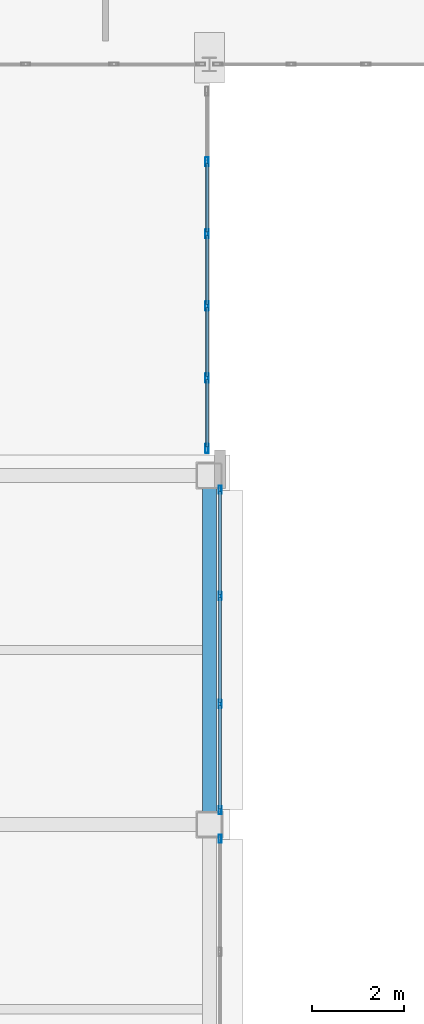
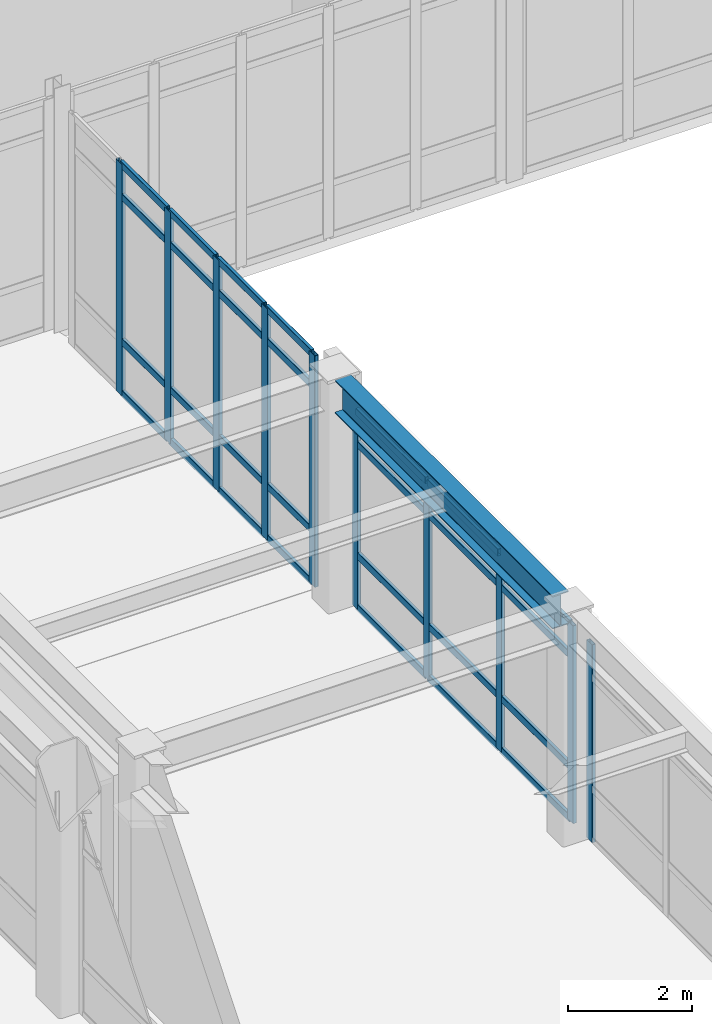
# One storey, part 74 of 154: 38 members, 1 beam, 3 elements without a shape of their own.
"""IFC4 building model written with IfcOpenShell, lengths in metres."""

from ifc_helpers import new_model, si_unit, direction, frame, origin, origin_2d, place, context, subcontext, project, spatial, hollow_rectangle, i_section, extrude, material, layer, layer_set, material_profile, profile_set, type_object, element, aggregate, save


model = new_model("IFC4")

# Units and contexts
model_context = context("Model", 3, precision=1e-05, world=origin(), true_north=direction((0.0, 1.0)))
body_context = subcontext(model_context, "Body", "Model", "MODEL_VIEW")
ifc_project = project(units=[si_unit("LENGTHUNIT", "METRE"), si_unit("AREAUNIT", "SQUARE_METRE"), si_unit("VOLUMEUNIT", "CUBIC_METRE"), si_unit("PLANEANGLEUNIT", "RADIAN"), si_unit("MASSUNIT", "GRAM", prefix="KILO")], contexts=[model_context])

# Site, building, storey
site_placement = place(None, origin())
site = spatial("IfcSite", under=ifc_project, at=site_placement, CompositionType="ELEMENT")
building_placement = place(site_placement, origin())
building = spatial("IfcBuilding", under=site, at=building_placement, Name="Kazehara Bluff Congress Hotel", CompositionType="ELEMENT")
storey_placement = place(building_placement, frame((0.0, 0.0, 10.199951171875)))
storey = spatial("IfcBuildingStorey", under=building, at=storey_placement, Name="L02", CompositionType="ELEMENT", Elevation=10.199951171875)

# Curtain wall, member
ifc_material_1 = material(Name="Anodised aluminium", Category="aluminium")
ifc_layer_1 = layer(ifc_material_1, 0.159912109375)
ifc_layer_set_1 = layer_set([ifc_layer_1], Name="Anodised aluminium")
curtain_wall_type_1 = type_object("IfcCurtainWallType", Name="TP-CW-140", PredefinedType="NOTDEFINED", material=ifc_layer_set_1)
curtain_wall_1_placement = place(storey_placement, origin())
curtain_wall_1 = element("IfcCurtainWall", 1, at=curtain_wall_1_placement, inside=storey, type_object=curtain_wall_type_1, Name="L02 curtain wall CW-140 CW-ENC-V4-L02-6788-6045", PredefinedType="NOTDEFINED")
ifc_material_2 = material(Name="Anodised aluminium", Category="aluminium")
ifc_material_profile_1 = material_profile(ifc_material_2, hollow_rectangle(XDim=0.06494140625, YDim=0.179931640625, WallThickness=0.00390625, InnerFilletRadius=0.00390625, OuterFilletRadius=0.008056640625, at=origin_2d()))
ifc_profile_set_1 = profile_set([ifc_material_profile_1], Name="Anodised aluminium")
member_type_1 = type_object("IfcMemberType", Name="TP-CWM-02", PredefinedType="MULLION", material=ifc_profile_set_1)
member_1_placement = place(storey_placement, frame((67.8798828125, 64.142578125, 0.0), z_axis=(0.0, 0.0, 1.0), x_axis=(1.0, 0.0, 0.0)))
member_1 = element("IfcMember", 2, at=member_1_placement, type_object=member_type_1, Name="CW-140 mullion 1", PredefinedType="MULLION", context=body_context, shape_type="SweptSolid", body=[
    extrude(hollow_rectangle(XDim=0.06494140625, YDim=0.179931640625, WallThickness=0.00390625, InnerFilletRadius=0.00390625, OuterFilletRadius=0.008056640625, at=origin_2d()), origin(), (0.0, 0.0, 1.0), 3.885009765625),
])
aggregate(curtain_wall_1, [member_1])

# Curtain wall, members
ifc_material_3 = material(Name="Anodised aluminium", Category="aluminium")
ifc_layer_2 = layer(ifc_material_3, 0.159912109375)
ifc_layer_set_2 = layer_set([ifc_layer_2], Name="Anodised aluminium")
curtain_wall_type_2 = type_object("IfcCurtainWallType", Name="TP-CW-139", PredefinedType="NOTDEFINED", material=ifc_layer_set_2)
curtain_wall_2_placement = place(storey_placement, origin())
curtain_wall_2 = element("IfcCurtainWall", 3, at=curtain_wall_2_placement, inside=storey, type_object=curtain_wall_type_2, Name="L02 curtain wall CW-139 CW-ENC-V4-L02-6788-6822", PredefinedType="NOTDEFINED")
member_2_placement = place(storey_placement, frame((67.8798828125, 71.6923828125, 0.0), z_axis=(0.0, 0.0, 1.0), x_axis=(1.0, 0.0, 0.0)))
member_2 = element("IfcMember", 4, at=member_2_placement, type_object=member_type_1, Name="CW-139 mullion 1", PredefinedType="MULLION", context=body_context, shape_type="SweptSolid", body=[
    extrude(hollow_rectangle(XDim=0.06494140625, YDim=0.179931640625, WallThickness=0.00390625, InnerFilletRadius=0.00390625, OuterFilletRadius=0.008056640625, at=origin_2d()), origin(), (0.0, 0.0, 1.0), 3.885009765625),
])
member_3_placement = place(storey_placement, frame((67.8798828125, 69.3916015625, 0.0), z_axis=(0.0, 0.0, 1.0), x_axis=(1.0, 0.0, 0.0)))
member_3 = element("IfcMember", 5, at=member_3_placement, type_object=member_type_1, Name="CW-139 mullion 2", PredefinedType="MULLION", context=body_context, shape_type="SweptSolid", body=[
    extrude(hollow_rectangle(XDim=0.06494140625, YDim=0.179931640625, WallThickness=0.00390625, InnerFilletRadius=0.00390625, OuterFilletRadius=0.008056640625, at=origin_2d()), origin(), (0.0, 0.0, 1.0), 3.885009765625),
])
member_4_placement = place(storey_placement, frame((67.8798828125, 67.058349609375, 0.0), z_axis=(0.0, 0.0, 1.0), x_axis=(1.0, 0.0, 0.0)))
member_4 = element("IfcMember", 6, at=member_4_placement, type_object=member_type_1, Name="CW-139 mullion 3", PredefinedType="MULLION", context=body_context, shape_type="SweptSolid", body=[
    extrude(hollow_rectangle(XDim=0.06494140625, YDim=0.179931640625, WallThickness=0.00390625, InnerFilletRadius=0.00390625, OuterFilletRadius=0.008056640625, at=origin_2d()), origin(), (0.0, 0.0, 1.0), 3.885009765625),
])
member_5_placement = place(storey_placement, frame((67.8798828125, 64.757568359375, 0.0), z_axis=(0.0, 0.0, 1.0), x_axis=(1.0, 0.0, 0.0)))
member_5 = element("IfcMember", 7, at=member_5_placement, type_object=member_type_1, Name="CW-139 mullion 4", PredefinedType="MULLION", context=body_context, shape_type="SweptSolid", body=[
    extrude(hollow_rectangle(XDim=0.06494140625, YDim=0.179931640625, WallThickness=0.00390625, InnerFilletRadius=0.00390625, OuterFilletRadius=0.008056640625, at=origin_2d()), origin(), (0.0, 0.0, 1.0), 3.885009765625),
])

ifc_material_4 = material(Name="Anodised aluminium", Category="aluminium")
ifc_layer_3 = layer(ifc_material_4, 0.159912109375)
ifc_layer_set_3 = layer_set([ifc_layer_3], Name="Anodised aluminium")
curtain_wall_type_3 = type_object("IfcCurtainWallType", Name="TP-CW-03", PredefinedType="NOTDEFINED", material=ifc_layer_set_3)
curtain_wall_3_placement = place(storey_placement, origin())
curtain_wall_3 = element("IfcCurtainWall", 8, at=curtain_wall_3_placement, inside=storey, type_object=curtain_wall_type_3, Name="L02 curtain wall CW-03 CW-BRG-34-L02-B", PredefinedType="NOTDEFINED")
ifc_material_5 = material(Name="Anodised aluminium", Category="aluminium")
ifc_material_profile_2 = material_profile(ifc_material_5, hollow_rectangle(XDim=0.070068359375, YDim=0.199951171875, WallThickness=0.0048828125, InnerFilletRadius=0.0048828125, OuterFilletRadius=0.010009765625, at=origin_2d()))
ifc_profile_set_2 = profile_set([ifc_material_profile_2], Name="Anodised aluminium")
member_type_2 = type_object("IfcMemberType", Name="TP-CWM-03", PredefinedType="MULLION", material=ifc_profile_set_2)
member_6_placement = place(storey_placement, frame((67.60009765625, 72.5849609375, 0.0), z_axis=(0.0, 0.0, 1.0), x_axis=(-1.0, 0.0, 0.0)))
member_6 = element("IfcMember", 9, at=member_6_placement, type_object=member_type_2, Name="CW-03 mullion 1", PredefinedType="MULLION", context=body_context, shape_type="SweptSolid", body=[
    extrude(hollow_rectangle(XDim=0.070068359375, YDim=0.199951171875, WallThickness=0.0048828125, InnerFilletRadius=0.0048828125, OuterFilletRadius=0.010009765625, at=origin_2d()), origin(), (0.0, 0.0, 1.0), 4.545166015625),
])
member_7_placement = place(storey_placement, frame((67.60009765625, 74.110107421875, 0.0), z_axis=(0.0, 0.0, 1.0), x_axis=(-1.0, 0.0, 0.0)))
member_7 = element("IfcMember", 10, at=member_7_placement, type_object=member_type_2, Name="CW-03 mullion 2", PredefinedType="MULLION", context=body_context, shape_type="SweptSolid", body=[
    extrude(hollow_rectangle(XDim=0.070068359375, YDim=0.199951171875, WallThickness=0.0048828125, InnerFilletRadius=0.0048828125, OuterFilletRadius=0.010009765625, at=origin_2d()), origin(), (0.0, 0.0, 1.0), 4.545166015625),
])
member_8_placement = place(storey_placement, frame((67.60009765625, 75.669921875, 0.0), z_axis=(0.0, 0.0, 1.0), x_axis=(-1.0, 0.0, 0.0)))
member_8 = element("IfcMember", 11, at=member_8_placement, type_object=member_type_2, Name="CW-03 mullion 3", PredefinedType="MULLION", context=body_context, shape_type="SweptSolid", body=[
    extrude(hollow_rectangle(XDim=0.070068359375, YDim=0.199951171875, WallThickness=0.0048828125, InnerFilletRadius=0.0048828125, OuterFilletRadius=0.010009765625, at=origin_2d()), origin(), (0.0, 0.0, 1.0), 4.545166015625),
])
member_9_placement = place(storey_placement, frame((67.60009765625, 77.22998046875, 0.0), z_axis=(0.0, 0.0, 1.0), x_axis=(-1.0, 0.0, 0.0)))
member_9 = element("IfcMember", 12, at=member_9_placement, type_object=member_type_2, Name="CW-03 mullion 4", PredefinedType="MULLION", context=body_context, shape_type="SweptSolid", body=[
    extrude(hollow_rectangle(XDim=0.070068359375, YDim=0.199951171875, WallThickness=0.0048828125, InnerFilletRadius=0.0048828125, OuterFilletRadius=0.010009765625, at=origin_2d()), origin(), (0.0, 0.0, 1.0), 4.545166015625),
])
member_10_placement = place(storey_placement, frame((67.60009765625, 78.7900390625, 0.0), z_axis=(0.0, 0.0, 1.0), x_axis=(-1.0, 0.0, 0.0)))
member_10 = element("IfcMember", 13, at=member_10_placement, type_object=member_type_2, Name="CW-03 mullion 5", PredefinedType="MULLION", context=body_context, shape_type="SweptSolid", body=[
    extrude(hollow_rectangle(XDim=0.070068359375, YDim=0.199951171875, WallThickness=0.0048828125, InnerFilletRadius=0.0048828125, OuterFilletRadius=0.010009765625, at=origin_2d()), origin(), (0.0, 0.0, 1.0), 4.545166015625),
])
ifc_material_6 = material(Name="Anodised aluminium", Category="aluminium")
ifc_material_profile_3 = material_profile(ifc_material_6, hollow_rectangle(XDim=0.06494140625, YDim=0.139892578125, WallThickness=0.00390625, InnerFilletRadius=0.00390625, OuterFilletRadius=0.008056640625, at=origin_2d()))
ifc_profile_set_3 = profile_set([ifc_material_profile_3], Name="Anodised aluminium")
member_type_3 = type_object("IfcMemberType", Name="TP-CWT-02", PredefinedType="USERDEFINED", material=ifc_profile_set_3)
member_11_placement = place(storey_placement, frame((67.60009765625, 72.6201171875, 0.032470703125), z_axis=(0.0, 1.0, 0.0), x_axis=(-1.0, 0.0, 0.0)))
member_11 = element("IfcMember", 14, at=member_11_placement, type_object=member_type_3, Name="CW-03 transom 1.1", ObjectType="TRANSOM", PredefinedType="USERDEFINED", context=body_context, shape_type="SweptSolid", body=[
    extrude(hollow_rectangle(XDim=0.06494140625, YDim=0.139892578125, WallThickness=0.00390625, InnerFilletRadius=0.00390625, OuterFilletRadius=0.008056640625, at=origin_2d()), origin(), (0.0, 0.0, 1.0), 1.454833984375),
])
member_12_placement = place(storey_placement, frame((67.60009765625, 72.6201171875, 1.050048828125), z_axis=(0.0, 1.0, 0.0), x_axis=(-1.0, 0.0, 0.0)))
member_12 = element("IfcMember", 15, at=member_12_placement, type_object=member_type_3, Name="CW-03 transom 1.2", ObjectType="TRANSOM", PredefinedType="USERDEFINED", context=body_context, shape_type="SweptSolid", body=[
    extrude(hollow_rectangle(XDim=0.06494140625, YDim=0.139892578125, WallThickness=0.00390625, InnerFilletRadius=0.00390625, OuterFilletRadius=0.008056640625, at=origin_2d()), origin(), (0.0, 0.0, 1.0), 1.454833984375),
])
member_13_placement = place(storey_placement, frame((67.60009765625, 72.6201171875, 3.89501953125), z_axis=(0.0, 1.0, 0.0), x_axis=(-1.0, 0.0, 0.0)))
member_13 = element("IfcMember", 16, at=member_13_placement, type_object=member_type_3, Name="CW-03 transom 1.3", ObjectType="TRANSOM", PredefinedType="USERDEFINED", context=body_context, shape_type="SweptSolid", body=[
    extrude(hollow_rectangle(XDim=0.06494140625, YDim=0.139892578125, WallThickness=0.00390625, InnerFilletRadius=0.00390625, OuterFilletRadius=0.008056640625, at=origin_2d()), origin(), (0.0, 0.0, 1.0), 1.454833984375),
])
member_14_placement = place(storey_placement, frame((67.60009765625, 72.6201171875, 4.512451171875), z_axis=(0.0, 1.0, 0.0), x_axis=(-1.0, 0.0, 0.0)))
member_14 = element("IfcMember", 17, at=member_14_placement, type_object=member_type_3, Name="CW-03 transom 1.4", ObjectType="TRANSOM", PredefinedType="USERDEFINED", context=body_context, shape_type="SweptSolid", body=[
    extrude(hollow_rectangle(XDim=0.06494140625, YDim=0.139892578125, WallThickness=0.00390625, InnerFilletRadius=0.00390625, OuterFilletRadius=0.008056640625, at=origin_2d()), origin(), (0.0, 0.0, 1.0), 1.454833984375),
])
member_15_placement = place(storey_placement, frame((67.60009765625, 74.14501953125, 0.032470703125), z_axis=(0.0, 1.0, 0.0), x_axis=(-1.0, 0.0, 0.0)))
member_15 = element("IfcMember", 18, at=member_15_placement, type_object=member_type_3, Name="CW-03 transom 2.1", ObjectType="TRANSOM", PredefinedType="USERDEFINED", context=body_context, shape_type="SweptSolid", body=[
    extrude(hollow_rectangle(XDim=0.06494140625, YDim=0.139892578125, WallThickness=0.00390625, InnerFilletRadius=0.00390625, OuterFilletRadius=0.008056640625, at=origin_2d()), origin(), (0.0, 0.0, 1.0), 1.489990234375),
])
member_16_placement = place(storey_placement, frame((67.60009765625, 74.14501953125, 1.050048828125), z_axis=(0.0, 1.0, 0.0), x_axis=(-1.0, 0.0, 0.0)))
member_16 = element("IfcMember", 19, at=member_16_placement, type_object=member_type_3, Name="CW-03 transom 2.2", ObjectType="TRANSOM", PredefinedType="USERDEFINED", context=body_context, shape_type="SweptSolid", body=[
    extrude(hollow_rectangle(XDim=0.06494140625, YDim=0.139892578125, WallThickness=0.00390625, InnerFilletRadius=0.00390625, OuterFilletRadius=0.008056640625, at=origin_2d()), origin(), (0.0, 0.0, 1.0), 1.489990234375),
])
member_17_placement = place(storey_placement, frame((67.60009765625, 74.14501953125, 3.89501953125), z_axis=(0.0, 1.0, 0.0), x_axis=(-1.0, 0.0, 0.0)))
member_17 = element("IfcMember", 20, at=member_17_placement, type_object=member_type_3, Name="CW-03 transom 2.3", ObjectType="TRANSOM", PredefinedType="USERDEFINED", context=body_context, shape_type="SweptSolid", body=[
    extrude(hollow_rectangle(XDim=0.06494140625, YDim=0.139892578125, WallThickness=0.00390625, InnerFilletRadius=0.00390625, OuterFilletRadius=0.008056640625, at=origin_2d()), origin(), (0.0, 0.0, 1.0), 1.489990234375),
])
member_18_placement = place(storey_placement, frame((67.60009765625, 74.14501953125, 4.512451171875), z_axis=(0.0, 1.0, 0.0), x_axis=(-1.0, 0.0, 0.0)))
member_18 = element("IfcMember", 21, at=member_18_placement, type_object=member_type_3, Name="CW-03 transom 2.4", ObjectType="TRANSOM", PredefinedType="USERDEFINED", context=body_context, shape_type="SweptSolid", body=[
    extrude(hollow_rectangle(XDim=0.06494140625, YDim=0.139892578125, WallThickness=0.00390625, InnerFilletRadius=0.00390625, OuterFilletRadius=0.008056640625, at=origin_2d()), origin(), (0.0, 0.0, 1.0), 1.489990234375),
])
member_19_placement = place(storey_placement, frame((67.60009765625, 75.705078125, 0.032470703125), z_axis=(0.0, 1.0, 0.0), x_axis=(-1.0, 0.0, 0.0)))
member_19 = element("IfcMember", 22, at=member_19_placement, type_object=member_type_3, Name="CW-03 transom 3.1", ObjectType="TRANSOM", PredefinedType="USERDEFINED", context=body_context, shape_type="SweptSolid", body=[
    extrude(hollow_rectangle(XDim=0.06494140625, YDim=0.139892578125, WallThickness=0.00390625, InnerFilletRadius=0.00390625, OuterFilletRadius=0.008056640625, at=origin_2d()), origin(), (0.0, 0.0, 1.0), 1.489990234375),
])
member_20_placement = place(storey_placement, frame((67.60009765625, 75.705078125, 1.050048828125), z_axis=(0.0, 1.0, 0.0), x_axis=(-1.0, 0.0, 0.0)))
member_20 = element("IfcMember", 23, at=member_20_placement, type_object=member_type_3, Name="CW-03 transom 3.2", ObjectType="TRANSOM", PredefinedType="USERDEFINED", context=body_context, shape_type="SweptSolid", body=[
    extrude(hollow_rectangle(XDim=0.06494140625, YDim=0.139892578125, WallThickness=0.00390625, InnerFilletRadius=0.00390625, OuterFilletRadius=0.008056640625, at=origin_2d()), origin(), (0.0, 0.0, 1.0), 1.489990234375),
])
member_21_placement = place(storey_placement, frame((67.60009765625, 75.705078125, 3.89501953125), z_axis=(0.0, 1.0, 0.0), x_axis=(-1.0, 0.0, 0.0)))
member_21 = element("IfcMember", 24, at=member_21_placement, type_object=member_type_3, Name="CW-03 transom 3.3", ObjectType="TRANSOM", PredefinedType="USERDEFINED", context=body_context, shape_type="SweptSolid", body=[
    extrude(hollow_rectangle(XDim=0.06494140625, YDim=0.139892578125, WallThickness=0.00390625, InnerFilletRadius=0.00390625, OuterFilletRadius=0.008056640625, at=origin_2d()), origin(), (0.0, 0.0, 1.0), 1.489990234375),
])
member_22_placement = place(storey_placement, frame((67.60009765625, 75.705078125, 4.512451171875), z_axis=(0.0, 1.0, 0.0), x_axis=(-1.0, 0.0, 0.0)))
member_22 = element("IfcMember", 25, at=member_22_placement, type_object=member_type_3, Name="CW-03 transom 3.4", ObjectType="TRANSOM", PredefinedType="USERDEFINED", context=body_context, shape_type="SweptSolid", body=[
    extrude(hollow_rectangle(XDim=0.06494140625, YDim=0.139892578125, WallThickness=0.00390625, InnerFilletRadius=0.00390625, OuterFilletRadius=0.008056640625, at=origin_2d()), origin(), (0.0, 0.0, 1.0), 1.489990234375),
])
member_23_placement = place(storey_placement, frame((67.60009765625, 77.264892578125, 0.032470703125), z_axis=(0.0, 1.0, 0.0), x_axis=(-1.0, 0.0, 0.0)))
member_23 = element("IfcMember", 26, at=member_23_placement, type_object=member_type_3, Name="CW-03 transom 4.1", ObjectType="TRANSOM", PredefinedType="USERDEFINED", context=body_context, shape_type="SweptSolid", body=[
    extrude(hollow_rectangle(XDim=0.06494140625, YDim=0.139892578125, WallThickness=0.00390625, InnerFilletRadius=0.00390625, OuterFilletRadius=0.008056640625, at=origin_2d()), origin(), (0.0, 0.0, 1.0), 1.489990234375),
])
member_24_placement = place(storey_placement, frame((67.60009765625, 77.264892578125, 1.050048828125), z_axis=(0.0, 1.0, 0.0), x_axis=(-1.0, 0.0, 0.0)))
member_24 = element("IfcMember", 27, at=member_24_placement, type_object=member_type_3, Name="CW-03 transom 4.2", ObjectType="TRANSOM", PredefinedType="USERDEFINED", context=body_context, shape_type="SweptSolid", body=[
    extrude(hollow_rectangle(XDim=0.06494140625, YDim=0.139892578125, WallThickness=0.00390625, InnerFilletRadius=0.00390625, OuterFilletRadius=0.008056640625, at=origin_2d()), origin(), (0.0, 0.0, 1.0), 1.489990234375),
])
member_25_placement = place(storey_placement, frame((67.60009765625, 77.264892578125, 3.89501953125), z_axis=(0.0, 1.0, 0.0), x_axis=(-1.0, 0.0, 0.0)))
member_25 = element("IfcMember", 28, at=member_25_placement, type_object=member_type_3, Name="CW-03 transom 4.3", ObjectType="TRANSOM", PredefinedType="USERDEFINED", context=body_context, shape_type="SweptSolid", body=[
    extrude(hollow_rectangle(XDim=0.06494140625, YDim=0.139892578125, WallThickness=0.00390625, InnerFilletRadius=0.00390625, OuterFilletRadius=0.008056640625, at=origin_2d()), origin(), (0.0, 0.0, 1.0), 1.489990234375),
])
member_26_placement = place(storey_placement, frame((67.60009765625, 77.264892578125, 4.512451171875), z_axis=(0.0, 1.0, 0.0), x_axis=(-1.0, 0.0, 0.0)))
member_26 = element("IfcMember", 29, at=member_26_placement, type_object=member_type_3, Name="CW-03 transom 4.4", ObjectType="TRANSOM", PredefinedType="USERDEFINED", context=body_context, shape_type="SweptSolid", body=[
    extrude(hollow_rectangle(XDim=0.06494140625, YDim=0.139892578125, WallThickness=0.00390625, InnerFilletRadius=0.00390625, OuterFilletRadius=0.008056640625, at=origin_2d()), origin(), (0.0, 0.0, 1.0), 1.489990234375),
])
aggregate(curtain_wall_3, [member_6, member_7, member_8, member_9, member_10, member_11, member_12, member_13, member_14, member_15, member_16, member_17, member_18, member_19, member_20, member_21, member_22, member_23, member_24, member_25, member_26])

# Member
member_27_placement = place(storey_placement, frame((67.8798828125, 71.659912109375, 0.032470703125), z_axis=(0.0, -1.0, 0.0), x_axis=(1.0, 0.0, 0.0)))
member_27 = element("IfcMember", 30, at=member_27_placement, type_object=member_type_3, Name="CW-139 transom 1.1", ObjectType="TRANSOM", PredefinedType="USERDEFINED", context=body_context, shape_type="SweptSolid", body=[
    extrude(hollow_rectangle(XDim=0.06494140625, YDim=0.139892578125, WallThickness=0.00390625, InnerFilletRadius=0.00390625, OuterFilletRadius=0.008056640625, at=origin_2d()), origin(), (0.0, 0.0, 1.0), 2.23583984375),
])

member_28_placement = place(storey_placement, frame((67.8798828125, 71.659912109375, 1.050048828125), z_axis=(0.0, -1.0, 0.0), x_axis=(1.0, 0.0, 0.0)))
member_28 = element("IfcMember", 31, at=member_28_placement, type_object=member_type_3, Name="CW-139 transom 1.2", ObjectType="TRANSOM", PredefinedType="USERDEFINED", context=body_context, shape_type="SweptSolid", body=[
    extrude(hollow_rectangle(XDim=0.06494140625, YDim=0.139892578125, WallThickness=0.00390625, InnerFilletRadius=0.00390625, OuterFilletRadius=0.008056640625, at=origin_2d()), origin(), (0.0, 0.0, 1.0), 2.23583984375),
])

member_29_placement = place(storey_placement, frame((67.8798828125, 71.659912109375, 3.235107421875), z_axis=(0.0, -1.0, 0.0), x_axis=(1.0, 0.0, 0.0)))
member_29 = element("IfcMember", 32, at=member_29_placement, type_object=member_type_3, Name="CW-139 transom 1.3", ObjectType="TRANSOM", PredefinedType="USERDEFINED", context=body_context, shape_type="SweptSolid", body=[
    extrude(hollow_rectangle(XDim=0.06494140625, YDim=0.139892578125, WallThickness=0.00390625, InnerFilletRadius=0.00390625, OuterFilletRadius=0.008056640625, at=origin_2d()), origin(), (0.0, 0.0, 1.0), 2.23583984375),
])

member_30_placement = place(storey_placement, frame((67.8798828125, 71.659912109375, 3.8525390625), z_axis=(0.0, -1.0, 0.0), x_axis=(1.0, 0.0, 0.0)))
member_30 = element("IfcMember", 33, at=member_30_placement, type_object=member_type_3, Name="CW-139 transom 1.4", ObjectType="TRANSOM", PredefinedType="USERDEFINED", context=body_context, shape_type="SweptSolid", body=[
    extrude(hollow_rectangle(XDim=0.06494140625, YDim=0.139892578125, WallThickness=0.00390625, InnerFilletRadius=0.00390625, OuterFilletRadius=0.008056640625, at=origin_2d()), origin(), (0.0, 0.0, 1.0), 2.23583984375),
])

member_31_placement = place(storey_placement, frame((67.8798828125, 69.359130859375, 0.032470703125), z_axis=(0.0, -1.0, 0.0), x_axis=(1.0, 0.0, 0.0)))
member_31 = element("IfcMember", 34, at=member_31_placement, type_object=member_type_3, Name="CW-139 transom 2.1", ObjectType="TRANSOM", PredefinedType="USERDEFINED", context=body_context, shape_type="SweptSolid", body=[
    extrude(hollow_rectangle(XDim=0.06494140625, YDim=0.139892578125, WallThickness=0.00390625, InnerFilletRadius=0.00390625, OuterFilletRadius=0.008056640625, at=origin_2d()), origin(), (0.0, 0.0, 1.0), 2.268310546875),
])

member_32_placement = place(storey_placement, frame((67.8798828125, 69.359130859375, 1.050048828125), z_axis=(0.0, -1.0, 0.0), x_axis=(1.0, 0.0, 0.0)))
member_32 = element("IfcMember", 35, at=member_32_placement, type_object=member_type_3, Name="CW-139 transom 2.2", ObjectType="TRANSOM", PredefinedType="USERDEFINED", context=body_context, shape_type="SweptSolid", body=[
    extrude(hollow_rectangle(XDim=0.06494140625, YDim=0.139892578125, WallThickness=0.00390625, InnerFilletRadius=0.00390625, OuterFilletRadius=0.008056640625, at=origin_2d()), origin(), (0.0, 0.0, 1.0), 2.268310546875),
])

member_33_placement = place(storey_placement, frame((67.8798828125, 69.359130859375, 3.235107421875), z_axis=(0.0, -1.0, 0.0), x_axis=(1.0, 0.0, 0.0)))
member_33 = element("IfcMember", 36, at=member_33_placement, type_object=member_type_3, Name="CW-139 transom 2.3", ObjectType="TRANSOM", PredefinedType="USERDEFINED", context=body_context, shape_type="SweptSolid", body=[
    extrude(hollow_rectangle(XDim=0.06494140625, YDim=0.139892578125, WallThickness=0.00390625, InnerFilletRadius=0.00390625, OuterFilletRadius=0.008056640625, at=origin_2d()), origin(), (0.0, 0.0, 1.0), 2.268310546875),
])

member_34_placement = place(storey_placement, frame((67.8798828125, 69.359130859375, 3.8525390625), z_axis=(0.0, -1.0, 0.0), x_axis=(1.0, 0.0, 0.0)))
member_34 = element("IfcMember", 37, at=member_34_placement, type_object=member_type_3, Name="CW-139 transom 2.4", ObjectType="TRANSOM", PredefinedType="USERDEFINED", context=body_context, shape_type="SweptSolid", body=[
    extrude(hollow_rectangle(XDim=0.06494140625, YDim=0.139892578125, WallThickness=0.00390625, InnerFilletRadius=0.00390625, OuterFilletRadius=0.008056640625, at=origin_2d()), origin(), (0.0, 0.0, 1.0), 2.268310546875),
])

member_35_placement = place(storey_placement, frame((67.8798828125, 67.02587890625, 0.032470703125), z_axis=(0.0, -1.0, 0.0), x_axis=(1.0, 0.0, 0.0)))
member_35 = element("IfcMember", 38, at=member_35_placement, type_object=member_type_3, Name="CW-139 transom 3.1", ObjectType="TRANSOM", PredefinedType="USERDEFINED", context=body_context, shape_type="SweptSolid", body=[
    extrude(hollow_rectangle(XDim=0.06494140625, YDim=0.139892578125, WallThickness=0.00390625, InnerFilletRadius=0.00390625, OuterFilletRadius=0.008056640625, at=origin_2d()), origin(), (0.0, 0.0, 1.0), 2.23583984375),
])

member_36_placement = place(storey_placement, frame((67.8798828125, 67.02587890625, 1.050048828125), z_axis=(0.0, -1.0, 0.0), x_axis=(1.0, 0.0, 0.0)))
member_36 = element("IfcMember", 39, at=member_36_placement, type_object=member_type_3, Name="CW-139 transom 3.2", ObjectType="TRANSOM", PredefinedType="USERDEFINED", context=body_context, shape_type="SweptSolid", body=[
    extrude(hollow_rectangle(XDim=0.06494140625, YDim=0.139892578125, WallThickness=0.00390625, InnerFilletRadius=0.00390625, OuterFilletRadius=0.008056640625, at=origin_2d()), origin(), (0.0, 0.0, 1.0), 2.23583984375),
])

member_37_placement = place(storey_placement, frame((67.8798828125, 67.02587890625, 3.235107421875), z_axis=(0.0, -1.0, 0.0), x_axis=(1.0, 0.0, 0.0)))
member_37 = element("IfcMember", 40, at=member_37_placement, type_object=member_type_3, Name="CW-139 transom 3.3", ObjectType="TRANSOM", PredefinedType="USERDEFINED", context=body_context, shape_type="SweptSolid", body=[
    extrude(hollow_rectangle(XDim=0.06494140625, YDim=0.139892578125, WallThickness=0.00390625, InnerFilletRadius=0.00390625, OuterFilletRadius=0.008056640625, at=origin_2d()), origin(), (0.0, 0.0, 1.0), 2.23583984375),
])

member_38_placement = place(storey_placement, frame((67.8798828125, 67.02587890625, 3.8525390625), z_axis=(0.0, -1.0, 0.0), x_axis=(1.0, 0.0, 0.0)))
member_38 = element("IfcMember", 41, at=member_38_placement, type_object=member_type_3, Name="CW-139 transom 3.4", ObjectType="TRANSOM", PredefinedType="USERDEFINED", context=body_context, shape_type="SweptSolid", body=[
    extrude(hollow_rectangle(XDim=0.06494140625, YDim=0.139892578125, WallThickness=0.00390625, InnerFilletRadius=0.00390625, OuterFilletRadius=0.008056640625, at=origin_2d()), origin(), (0.0, 0.0, 1.0), 2.23583984375),
])

aggregate(curtain_wall_2, [member_2, member_3, member_4, member_5, member_27, member_28, member_29, member_30, member_31, member_32, member_33, member_34, member_35, member_36, member_37, member_38])

# Beam
ifc_material_7 = material(Name="Steel SN490B", Category="steel")
ifc_material_profile_4 = material_profile(ifc_material_7, i_section(OverallWidth=0.300048828125, OverallDepth=0.64990234375, WebThickness=0.011962890625, FlangeThickness=0.02001953125, FilletRadius=0.012939453125, at=origin_2d()))
ifc_profile_set_4 = profile_set([ifc_material_profile_4], Name="Steel SN490B")
beam_type = type_object("IfcBeamType", Name="TP-G-03", PredefinedType="BEAM", material=ifc_profile_set_4)
beam_placement = place(storey_placement, frame((67.64990234375, 64.72509765625, 4.235107421875), z_axis=(0.0, 1.0, 0.0), x_axis=(-1.0, 0.0, 0.0)))
element("IfcBeam", 42, at=beam_placement, inside=storey, type_object=beam_type, Name="L02 girder G-03 70", PredefinedType="BEAM", context=body_context, shape_type="SweptSolid", body=[
    extrude(i_section(OverallWidth=0.300048828125, OverallDepth=0.64990234375, WebThickness=0.011962890625, FlangeThickness=0.02001953125, FilletRadius=0.012939453125, at=origin_2d()), origin(), (0.0, 0.0, 1.0), 7.0),
])

save(model, "model.ifc")
